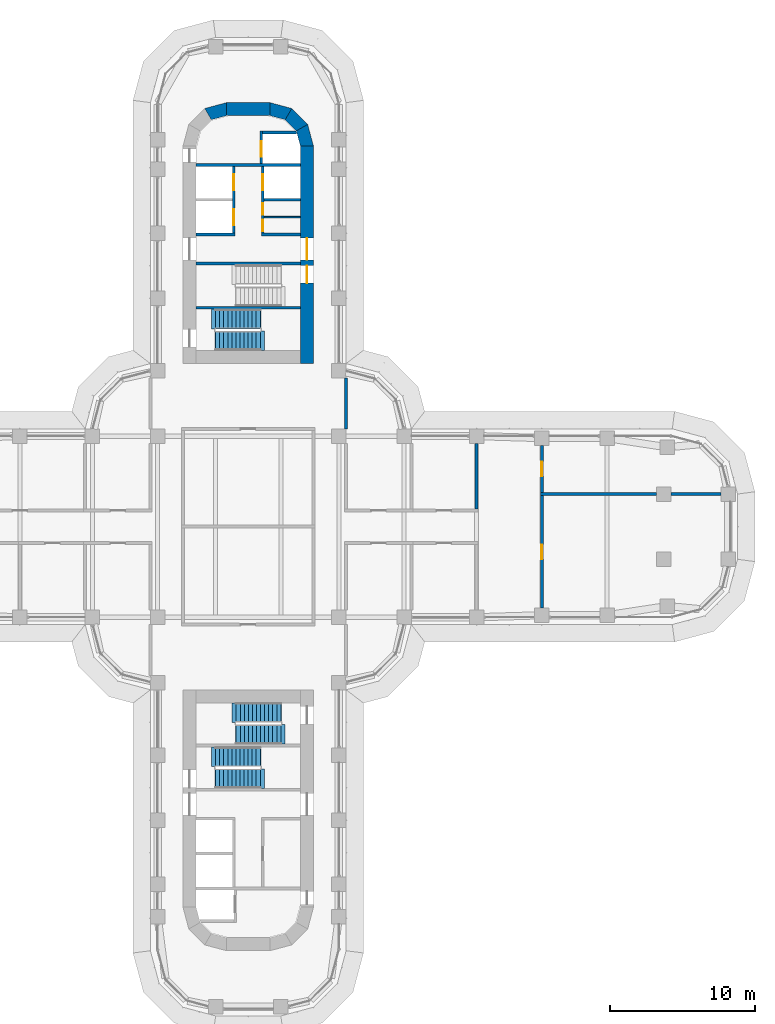
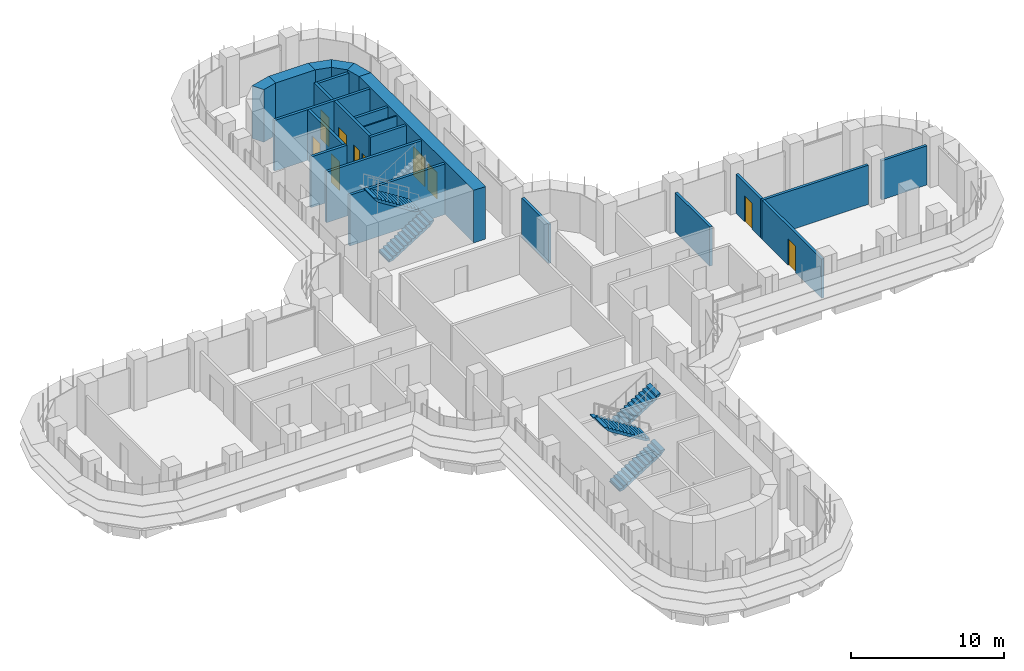
# One storey, part 18 of 23: 23 walls, 10 doors, 6 stair flights, 10 openings, 3 elements without a shape of their own.
"""IFC4 building model written with IfcOpenShell, lengths in metres."""

from ifc_helpers import new_model, si_unit, direction, frame, frame_2d, origin, place, context, subcontext, project, spatial, polyline, rectangle, outline, extrude, material, layer, layer_set, type_object, element, fill, aggregate, save


model = new_model("IFC4")

# Units and contexts
model_context = context("Model", 3, precision=1e-05, world=origin(), true_north=direction((0.0, 1.0)))
body_context = subcontext(model_context, "Body", "Model", "MODEL_VIEW")
ifc_project = project(units=[si_unit("LENGTHUNIT", "METRE"), si_unit("AREAUNIT", "SQUARE_METRE"), si_unit("VOLUMEUNIT", "CUBIC_METRE"), si_unit("PLANEANGLEUNIT", "RADIAN"), si_unit("MASSUNIT", "GRAM", prefix="KILO")], contexts=[model_context])

# Site, building, storey
site_placement = place(None, origin())
site = spatial("IfcSite", under=ifc_project, at=site_placement, CompositionType="ELEMENT")
building_placement = place(site_placement, origin())
building = spatial("IfcBuilding", under=site, at=building_placement, Name="Zarbagh Exchange Tower", CompositionType="ELEMENT")
storey_placement = place(building_placement, frame((0.0, 0.0, 48.0)))
storey = spatial("IfcBuildingStorey", under=building, at=storey_placement, Name="L10", CompositionType="ELEMENT", Elevation=48.0)

# Walls
ifc_material_1 = material(Name="Dense blockwork", Category="masonry")
ifc_layer_1 = layer(ifc_material_1, 0.10009765625)
ifc_layer_set_1 = layer_set([ifc_layer_1], Name="Core partition 100 mm blockwork")
wall_type_1 = type_object("IfcWallType", Name="Core partition 100 mm blockwork", PredefinedType="PARTITIONING", material=ifc_layer_set_1)
wall_1_placement = place(storey_placement, frame((1.10009765625, 21.35009765625, 0.0), z_axis=(0.0, 0.0, 1.0), x_axis=(1.0, 0.0, 0.0)))
element("IfcWall", 1, at=wall_1_placement, inside=storey, type_object=wall_type_1, Name="North core partition wall CUT-E-700", PredefinedType="PARTITIONING", context=body_context, shape_type="SweptSolid", body=[
    extrude(rectangle(XDim=2.5, YDim=0.10009765625, at=frame_2d((1.25, 0.0))), origin(), (0.0, 0.0, 1.0), 4.050048828125),
])
ifc_material_2 = material(Name="Fire-rated plasterboard partition")
ifc_layer_2 = layer(ifc_material_2, 0.199951171875)
ifc_layer_set_2 = layer_set([ifc_layer_2], Name="RATED PARTITION 200")
wall_type_2 = type_object("IfcWallType", Name="RATED PARTITION 200", PredefinedType="PARTITIONING", material=ifc_layer_set_2)
wall_2_placement = place(storey_placement, frame((6.75, 6.75, 0.0), z_axis=(0.0, 0.0, 1.0), x_axis=(0.0, 1.0, 0.0)))
element("IfcWall", 2, at=wall_2_placement, inside=storey, type_object=wall_type_2, Name="Partition W-310", PredefinedType="PARTITIONING", context=body_context, shape_type="SweptSolid", body=[
    extrude(rectangle(XDim=3.5, YDim=0.199951171875, at=frame_2d((1.75, 0.0))), origin(), (0.0, 0.0, 1.0), 3.130615234375),
])
wall_3_placement = place(storey_placement, frame((15.75, 1.22509765625, 0.0), z_axis=(0.0, 0.0, 1.0), x_axis=(0.0, 1.0, 0.0)))
element("IfcWall", 3, at=wall_3_placement, inside=storey, type_object=wall_type_2, Name="Partition W-322", PredefinedType="PARTITIONING", context=body_context, shape_type="SweptSolid", body=[
    extrude(rectangle(XDim=4.52490234375, YDim=0.199951171875, at=frame_2d((2.262451171875, 0.0))), origin(), (0.0, 0.0, 1.0), 3.130615234375),
])

# Wall, opening, door
wall_4_placement = place(storey_placement, frame((20.25, 2.14990234375, 0.0), z_axis=(0.0, 0.0, 1.0), x_axis=(0.0, -1.0, 0.0)))
wall_4 = element("IfcWall", 4, at=wall_4_placement, inside=storey, type_object=wall_type_2, Name="Partition W-324", PredefinedType="PARTITIONING", context=body_context, shape_type="SweptSolid", body=[
    extrude(rectangle(XDim=7.760009765625, YDim=0.199951171875, at=frame_2d((3.8798828125, 0.0))), origin(), (0.0, 0.0, 1.0), 3.130615234375),
])
opening_1_placement = place(wall_4_placement, frame((3.3798828125, 0.0, 0.0)))
opening_1 = element("IfcOpeningElement", 5, at=opening_1_placement, cuts=wall_4, Name="Opening D-307", PredefinedType="OPENING", context=body_context, shape_type="SweptSolid", body=[
    extrude(rectangle(XDim=1.0, YDim=2.10009765625, at=frame_2d((0.5, 1.050048828125))), frame((0.0, 0.10986328125, 0.0), z_axis=(0.0, -1.0, 0.0), x_axis=(1.0, 0.0, 0.0)), (0.0, 0.0, 1.0), 0.219970703125),
])
ifc_material_3 = material(Name="Steel door set", Category="steel")
door_type_1 = type_object("IfcDoorType", Name="FIRE DOOR 1000 X 2100 FD30S", OperationType="NOTDEFINED", PredefinedType="DOOR", material=ifc_material_3)
door_1_placement = place(opening_1_placement, origin())
door_1 = element("IfcDoor", 6, at=door_1_placement, inside=storey, type_object=door_type_1, Name="Door D-307", OperationType="SINGLE_SWING_RIGHT", OverallHeight=2.10009765625, OverallWidth=1.0, PredefinedType="DOOR", context=body_context, shape_type="SweptSolid", body=[
    extrude(rectangle(XDim=1.0, YDim=2.10009765625, at=frame_2d((0.5, 1.050048828125))), frame((0.0, 0.02490234375, 0.0), z_axis=(0.0, -1.0, 0.0), x_axis=(1.0, 0.0, 0.0)), (0.0, 0.0, 1.0), 0.050048828125),
])
fill(opening_1, door_1)

wall_5_placement = place(storey_placement, frame((20.25, 5.610107421875, 0.0), z_axis=(0.0, 0.0, 1.0), x_axis=(0.0, -1.0, 0.0)))
wall_5 = element("IfcWall", 7, at=wall_5_placement, inside=storey, type_object=wall_type_2, Name="Partition W-325", PredefinedType="PARTITIONING", context=body_context, shape_type="SweptSolid", body=[
    extrude(rectangle(XDim=3.260009765625, YDim=0.199951171875, at=frame_2d((1.6298828125, 0.0))), origin(), (0.0, 0.0, 1.0), 3.130615234375),
])
opening_2_placement = place(wall_5_placement, frame((1.1298828125, 0.0, 0.0)))
opening_2 = element("IfcOpeningElement", 8, at=opening_2_placement, cuts=wall_5, Name="Opening D-308", PredefinedType="OPENING", context=body_context, shape_type="SweptSolid", body=[
    extrude(rectangle(XDim=1.0, YDim=2.10009765625, at=frame_2d((0.5, 1.050048828125))), frame((0.0, 0.10986328125, 0.0), z_axis=(0.0, -1.0, 0.0), x_axis=(1.0, 0.0, 0.0)), (0.0, 0.0, 1.0), 0.219970703125),
])
door_2_placement = place(opening_2_placement, origin())
door_2 = element("IfcDoor", 9, at=door_2_placement, inside=storey, type_object=door_type_1, Name="Door D-308", OperationType="SINGLE_SWING_LEFT", OverallHeight=2.10009765625, OverallWidth=1.0, PredefinedType="DOOR", context=body_context, shape_type="SweptSolid", body=[
    extrude(rectangle(XDim=1.0, YDim=2.10009765625, at=frame_2d((0.5, 1.050048828125))), frame((0.0, 0.02490234375, 0.0), z_axis=(0.0, -1.0, 0.0), x_axis=(1.0, 0.0, 0.0)), (0.0, 0.0, 1.0), 0.050048828125),
])
fill(opening_2, door_2)

# Walls
wall_6_placement = place(storey_placement, frame((20.14990234375, 2.25, 0.0), z_axis=(0.0, 0.0, 1.0), x_axis=(1.0, 0.0, 0.0)))
element("IfcWall", 10, at=wall_6_placement, inside=storey, type_object=wall_type_2, Name="Partition W-326", PredefinedType="PARTITIONING", context=body_context, shape_type="SweptSolid", body=[
    extrude(rectangle(XDim=8.02001953125, YDim=0.199951171875, at=frame_2d((4.010009765625, 0.0))), origin(), (0.0, 0.0, 1.0), 3.130615234375),
])
wall_7_placement = place(storey_placement, frame((29.169921875, 2.25, 0.0), z_axis=(0.0, 0.0, 1.0), x_axis=(1.0, 0.0, 0.0)))
element("IfcWall", 11, at=wall_7_placement, inside=storey, type_object=wall_type_2, Name="Partition W-327", PredefinedType="PARTITIONING", context=body_context, shape_type="SweptSolid", body=[
    extrude(rectangle(XDim=3.440185546875, YDim=0.199951171875, at=frame_2d((1.72021484375, 0.0))), origin(), (0.0, 0.0, 1.0), 3.130615234375),
])
ifc_material_4 = material(Name="Concrete C60/75", Category="concrete")
ifc_layer_3 = layer(ifc_material_4, 0.89990234375)
ifc_layer_set_3 = layer_set([ifc_layer_3], Name="RC core corner wall 900 C60/75")
wall_type_3 = type_object("IfcWallType", Name="RC core corner wall 900 C60/75", PredefinedType="SHEAR", material=ifc_layer_set_3)
wall_8_placement = place(storey_placement, origin())
element("IfcWall", 12, at=wall_8_placement, inside=storey, type_object=wall_type_3, Name="CW2 core N corner W", PredefinedType="SHEAR", context=body_context, shape_type="SweptSolid", body=[
    extrude(outline(polyline([(-3.0, 28.84814453125), (-1.5, 29.25), (-1.5, 28.35009765625), (-2.550048828125, 28.068603515625), (-3.0, 28.84814453125)])), origin(), (0.0, 0.0, 1.0), 4.199951171875),
])
wall_9_placement = place(storey_placement, origin())
element("IfcWall", 13, at=wall_9_placement, inside=storey, type_object=wall_type_3, Name="CW2 core N corner E", PredefinedType="SHEAR", context=body_context, shape_type="SweptSolid", body=[
    extrude(outline(polyline([(4.5, 26.25), (4.09814453125, 27.75), (3.318603515625, 27.300048828125), (3.60009765625, 26.25), (4.5, 26.25)])), origin(), (0.0, 0.0, 1.0), 4.199951171875),
])
wall_10_placement = place(storey_placement, origin())
element("IfcWall", 14, at=wall_10_placement, inside=storey, type_object=wall_type_3, Name="CW2 core N corner E", PredefinedType="SHEAR", context=body_context, shape_type="SweptSolid", body=[
    extrude(outline(polyline([(4.09814453125, 27.75), (3.0, 28.84814453125), (2.550048828125, 28.068603515625), (3.318603515625, 27.300048828125), (4.09814453125, 27.75)])), origin(), (0.0, 0.0, 1.0), 4.199951171875),
])
wall_11_placement = place(storey_placement, origin())
element("IfcWall", 15, at=wall_11_placement, inside=storey, type_object=wall_type_3, Name="CW2 core N corner E", PredefinedType="SHEAR", context=body_context, shape_type="SweptSolid", body=[
    extrude(outline(polyline([(3.0, 28.84814453125), (1.5, 29.25), (1.5, 28.35009765625), (2.550048828125, 28.068603515625), (3.0, 28.84814453125)])), origin(), (0.0, 0.0, 1.0), 4.199951171875),
])

# Wall, openings, doors
ifc_layer_4 = layer(ifc_material_4, 0.89990234375)
ifc_layer_set_4 = layer_set([ifc_layer_4], Name="RC core wall 900 C60/75")
wall_type_4 = type_object("IfcWallType", Name="RC core wall 900 C60/75", PredefinedType="SHEAR", material=ifc_layer_set_4)
wall_12_placement = place(storey_placement, frame((4.050048828125, 11.25, 0.0), z_axis=(0.0, 0.0, 1.0), x_axis=(0.0, 1.0, 0.0)))
wall_12 = element("IfcWall", 16, at=wall_12_placement, inside=storey, type_object=wall_type_4, Name="CW1 core N E", PredefinedType="SHEAR", context=body_context, shape_type="SweptSolid", body=[
    extrude(rectangle(XDim=15.0, YDim=0.89990234375, at=frame_2d((7.5, 0.0))), origin(), (0.0, 0.0, 1.0), 4.199951171875),
])
opening_3_placement = place(wall_12_placement, frame((7.14990234375, 0.0, 0.0)))
opening_3 = element("IfcOpeningElement", 17, at=opening_3_placement, cuts=wall_12, Name="Opening CD1-1500", PredefinedType="OPENING", context=body_context, shape_type="SweptSolid", body=[
    extrude(rectangle(XDim=1.5, YDim=2.300048828125, at=frame_2d((0.75, 1.14990234375))), frame((0.0, 0.4599609375, 0.0), z_axis=(0.0, -1.0, 0.0), x_axis=(1.0, 0.0, 0.0)), (0.0, 0.0, 1.0), 0.919921875),
])
opening_4_placement = place(wall_12_placement, frame((5.550048828125, 0.0, 0.0)))
opening_4 = element("IfcOpeningElement", 18, at=opening_4_placement, cuts=wall_12, Name="Opening SD1-1200", PredefinedType="OPENING", context=body_context, shape_type="SweptSolid", body=[
    extrude(rectangle(XDim=1.199951171875, YDim=2.10009765625, at=frame_2d((0.60009765625, 1.050048828125))), frame((0.0, 0.4599609375, 0.0), z_axis=(0.0, -1.0, 0.0), x_axis=(1.0, 0.0, 0.0)), (0.0, 0.0, 1.0), 0.919921875),
])
ifc_material_5 = material(Name="Steel", Category="steel")
door_type_2 = type_object("IfcDoorType", Name="Exit stair door 1200 x 2100", OperationType="NOTDEFINED", PredefinedType="DOOR", material=ifc_material_5)
door_3_placement = place(opening_4_placement, origin())
door_3 = element("IfcDoor", 19, at=door_3_placement, inside=storey, type_object=door_type_2, Name="North core stair door ST1", OperationType="SINGLE_SWING_RIGHT", OverallHeight=2.10009765625, OverallWidth=1.199951171875, PredefinedType="DOOR", context=body_context, shape_type="SweptSolid", body=[
    extrude(rectangle(XDim=1.199951171875, YDim=2.10009765625, at=frame_2d((0.60009765625, 1.050048828125))), frame((0.0, 0.02490234375, 0.0), z_axis=(0.0, -1.0, 0.0), x_axis=(1.0, 0.0, 0.0)), (0.0, 0.0, 1.0), 0.050048828125),
])
fill(opening_4, door_3)
door_type_3 = type_object("IfcDoorType", Name="Lift lobby double door 1500 x 2300", OperationType="NOTDEFINED", PredefinedType="DOOR", material=ifc_material_5)
door_4_placement = place(opening_3_placement, origin())
door_4 = element("IfcDoor", 20, at=door_4_placement, inside=storey, type_object=door_type_3, Name="North core lift lobby door LOBBY-E", OperationType="DOUBLE_DOOR_SINGLE_SWING", OverallHeight=2.300048828125, OverallWidth=1.5, PredefinedType="DOOR", context=body_context, shape_type="SweptSolid", body=[
    extrude(rectangle(XDim=1.5, YDim=2.300048828125, at=frame_2d((0.75, 1.14990234375))), frame((0.0, 0.02490234375, 0.0), z_axis=(0.0, -1.0, 0.0), x_axis=(1.0, 0.0, 0.0)), (0.0, 0.0, 1.0), 0.050048828125),
])
fill(opening_3, door_4)

# Walls
wall_13_placement = place(storey_placement, frame((-1.5, 28.800048828125, 0.0), z_axis=(0.0, 0.0, 1.0), x_axis=(1.0, 0.0, 0.0)))
element("IfcWall", 21, at=wall_13_placement, inside=storey, type_object=wall_type_4, Name="CW1 core N outer end", PredefinedType="SHEAR", context=body_context, shape_type="SweptSolid", body=[
    extrude(rectangle(XDim=3.0, YDim=0.89990234375, at=frame_2d((1.5, 0.0))), origin(), (0.0, 0.0, 1.0), 4.199951171875),
])
ifc_layer_5 = layer(ifc_material_1, 0.199951171875)
ifc_layer_set_5 = layer_set([ifc_layer_5], Name="Shaft wall 200 mm blockwork")
wall_type_5 = type_object("IfcWallType", Name="Shaft wall 200 mm blockwork", PredefinedType="PARTITIONING", material=ifc_layer_set_5)
wall_14_placement = place(storey_placement, frame((-3.60009765625, 20.14990234375, 0.0), z_axis=(0.0, 0.0, 1.0), x_axis=(1.0, 0.0, 0.0)))
element("IfcWall", 22, at=wall_14_placement, inside=storey, type_object=wall_type_5, Name="North core shaft wall AB-W", PredefinedType="PARTITIONING", context=body_context, shape_type="SweptSolid", body=[
    extrude(rectangle(XDim=2.7001953125, YDim=0.199951171875, at=frame_2d((1.35009765625, 0.0))), origin(), (0.0, 0.0, 1.0), 4.050048828125),
])

# Wall, openings, doors
wall_15_placement = place(storey_placement, frame((-1.0, 24.85009765625, 0.0), z_axis=(0.0, 0.0, 1.0), x_axis=(0.0, -1.0, 0.0)))
wall_15 = element("IfcWall", 23, at=wall_15_placement, inside=storey, type_object=wall_type_5, Name="North core shaft wall LW-W", PredefinedType="PARTITIONING", context=body_context, shape_type="SweptSolid", body=[
    extrude(rectangle(XDim=4.60009765625, YDim=0.199951171875, at=frame_2d((2.300048828125, 0.0))), origin(), (0.0, 0.0, 1.0), 4.050048828125),
])
opening_5_placement = place(wall_15_placement, frame((0.550048828125, 0.0, 0.0)))
opening_5 = element("IfcOpeningElement", 24, at=opening_5_placement, cuts=wall_15, Name="Opening LD-1100", PredefinedType="OPENING", context=body_context, shape_type="SweptSolid", body=[
    extrude(rectangle(XDim=1.10009765625, YDim=2.300048828125, at=frame_2d((0.550048828125, 1.14990234375))), frame((0.0, 0.10986328125, 0.0), z_axis=(0.0, -1.0, 0.0), x_axis=(1.0, 0.0, 0.0)), (0.0, 0.0, 1.0), 0.219970703125),
])
opening_6_placement = place(wall_15_placement, frame((2.949951171875, 0.0, 0.0)))
opening_6 = element("IfcOpeningElement", 25, at=opening_6_placement, cuts=wall_15, Name="Opening LD-1100", PredefinedType="OPENING", context=body_context, shape_type="SweptSolid", body=[
    extrude(rectangle(XDim=1.10009765625, YDim=2.300048828125, at=frame_2d((0.550048828125, 1.14990234375))), frame((0.0, 0.10986328125, 0.0), z_axis=(0.0, -1.0, 0.0), x_axis=(1.0, 0.0, 0.0)), (0.0, 0.0, 1.0), 0.219970703125),
])
ifc_material_6 = material(Name="Stainless steel", Category="steel")
door_type_4 = type_object("IfcDoorType", Name="Lift landing door 1100 x 2300", OperationType="NOTDEFINED", PredefinedType="DOOR", material=ifc_material_6)
door_5_placement = place(opening_5_placement, origin())
door_5 = element("IfcDoor", 26, at=door_5_placement, inside=storey, type_object=door_type_4, Name="North core lift landing door LD-P-N1", OperationType="DOUBLE_DOOR_SLIDING", OverallHeight=2.300048828125, OverallWidth=1.10009765625, PredefinedType="DOOR", context=body_context, shape_type="SweptSolid", body=[
    extrude(rectangle(XDim=1.10009765625, YDim=2.300048828125, at=frame_2d((0.550048828125, 1.14990234375))), frame((0.0, 0.02490234375, 0.0), z_axis=(0.0, -1.0, 0.0), x_axis=(1.0, 0.0, 0.0)), (0.0, 0.0, 1.0), 0.050048828125),
])
fill(opening_5, door_5)
door_6_placement = place(opening_6_placement, origin())
door_6 = element("IfcDoor", 27, at=door_6_placement, inside=storey, type_object=door_type_4, Name="North core lift landing door LD-P-N2", OperationType="DOUBLE_DOOR_SLIDING", OverallHeight=2.300048828125, OverallWidth=1.10009765625, PredefinedType="DOOR", context=body_context, shape_type="SweptSolid", body=[
    extrude(rectangle(XDim=1.10009765625, YDim=2.300048828125, at=frame_2d((0.550048828125, 1.14990234375))), frame((0.0, 0.02490234375, 0.0), z_axis=(0.0, -1.0, 0.0), x_axis=(1.0, 0.0, 0.0)), (0.0, 0.0, 1.0), 0.050048828125),
])
fill(opening_6, door_6)

# Wall
wall_16_placement = place(storey_placement, frame((0.89990234375, 20.14990234375, 0.0), z_axis=(0.0, 0.0, 1.0), x_axis=(1.0, 0.0, 0.0)))
element("IfcWall", 28, at=wall_16_placement, inside=storey, type_object=wall_type_5, Name="North core shaft wall AB-E", PredefinedType="PARTITIONING", context=body_context, shape_type="SweptSolid", body=[
    extrude(rectangle(XDim=2.7001953125, YDim=0.199951171875, at=frame_2d((1.35009765625, 0.0))), origin(), (0.0, 0.0, 1.0), 4.050048828125),
])

# Wall, openings, doors
wall_17_placement = place(storey_placement, frame((1.0, 24.85009765625, 0.0), z_axis=(0.0, 0.0, 1.0), x_axis=(0.0, -1.0, 0.0)))
wall_17 = element("IfcWall", 29, at=wall_17_placement, inside=storey, type_object=wall_type_5, Name="North core shaft wall LW-E", PredefinedType="PARTITIONING", context=body_context, shape_type="SweptSolid", body=[
    extrude(rectangle(XDim=4.60009765625, YDim=0.199951171875, at=frame_2d((2.300048828125, 0.0))), origin(), (0.0, 0.0, 1.0), 4.050048828125),
])
opening_7_placement = place(wall_17_placement, frame((0.550048828125, 0.0, 0.0)))
opening_7 = element("IfcOpeningElement", 30, at=opening_7_placement, cuts=wall_17, Name="Opening LD-1100", PredefinedType="OPENING", context=body_context, shape_type="SweptSolid", body=[
    extrude(rectangle(XDim=1.10009765625, YDim=2.300048828125, at=frame_2d((0.550048828125, 1.14990234375))), frame((0.0, 0.10986328125, 0.0), z_axis=(0.0, -1.0, 0.0), x_axis=(1.0, 0.0, 0.0)), (0.0, 0.0, 1.0), 0.219970703125),
])
opening_8_placement = place(wall_17_placement, frame((2.52490234375, 0.0, 0.0)))
opening_8 = element("IfcOpeningElement", 31, at=opening_8_placement, cuts=wall_17, Name="Opening CD3-800", PredefinedType="OPENING", context=body_context, shape_type="SweptSolid", body=[
    extrude(rectangle(XDim=0.800048828125, YDim=2.10009765625, at=frame_2d((0.39990234375, 1.050048828125))), frame((0.0, 0.10986328125, 0.0), z_axis=(0.0, -1.0, 0.0), x_axis=(1.0, 0.0, 0.0)), (0.0, 0.0, 1.0), 0.219970703125),
])
opening_9_placement = place(wall_17_placement, frame((3.675048828125, 0.0, 0.0)))
opening_9 = element("IfcOpeningElement", 32, at=opening_9_placement, cuts=wall_17, Name="Opening CD3-800", PredefinedType="OPENING", context=body_context, shape_type="SweptSolid", body=[
    extrude(rectangle(XDim=0.800048828125, YDim=2.10009765625, at=frame_2d((0.39990234375, 1.050048828125))), frame((0.0, 0.10986328125, 0.0), z_axis=(0.0, -1.0, 0.0), x_axis=(1.0, 0.0, 0.0)), (0.0, 0.0, 1.0), 0.219970703125),
])
door_type_5 = type_object("IfcDoorType", Name="Core room door 800 x 2100", OperationType="NOTDEFINED", PredefinedType="DOOR", material=ifc_material_5)
door_7_placement = place(opening_8_placement, origin())
door_7 = element("IfcDoor", 33, at=door_7_placement, inside=storey, type_object=door_type_5, Name="North core Store door RD-E-0", OperationType="SINGLE_SWING_LEFT", OverallHeight=2.10009765625, OverallWidth=0.800048828125, PredefinedType="DOOR", context=body_context, shape_type="SweptSolid", body=[
    extrude(rectangle(XDim=0.800048828125, YDim=2.10009765625, at=frame_2d((0.39990234375, 1.050048828125))), frame((0.0, 0.02490234375, 0.0), z_axis=(0.0, -1.0, 0.0), x_axis=(1.0, 0.0, 0.0)), (0.0, 0.0, 1.0), 0.050048828125),
])
fill(opening_8, door_7)
door_8_placement = place(opening_9_placement, origin())
door_8 = element("IfcDoor", 34, at=door_8_placement, inside=storey, type_object=door_type_5, Name="North core IT room door RD-E-1", OperationType="SINGLE_SWING_RIGHT", OverallHeight=2.10009765625, OverallWidth=0.800048828125, PredefinedType="DOOR", context=body_context, shape_type="SweptSolid", body=[
    extrude(rectangle(XDim=0.800048828125, YDim=2.10009765625, at=frame_2d((0.39990234375, 1.050048828125))), frame((0.0, 0.02490234375, 0.0), z_axis=(0.0, -1.0, 0.0), x_axis=(1.0, 0.0, 0.0)), (0.0, 0.0, 1.0), 0.050048828125),
])
fill(opening_9, door_8)
door_9_placement = place(opening_7_placement, origin())
door_9 = element("IfcDoor", 35, at=door_9_placement, inside=storey, type_object=door_type_4, Name="North core lift landing door LD-P-N3", OperationType="DOUBLE_DOOR_SLIDING", OverallHeight=2.300048828125, OverallWidth=1.10009765625, PredefinedType="DOOR", context=body_context, shape_type="SweptSolid", body=[
    extrude(rectangle(XDim=1.10009765625, YDim=2.300048828125, at=frame_2d((0.550048828125, 1.14990234375))), frame((0.0, 0.02490234375, 0.0), z_axis=(0.0, -1.0, 0.0), x_axis=(1.0, 0.0, 0.0)), (0.0, 0.0, 1.0), 0.050048828125),
])
fill(opening_7, door_9)

# Walls
wall_18_placement = place(storey_placement, frame((1.10009765625, 22.550048828125, 0.0), z_axis=(0.0, 0.0, 1.0), x_axis=(1.0, 0.0, 0.0)))
element("IfcWall", 36, at=wall_18_placement, inside=storey, type_object=wall_type_5, Name="North core shaft wall TR-E", PredefinedType="PARTITIONING", context=body_context, shape_type="SweptSolid", body=[
    extrude(rectangle(XDim=2.5, YDim=0.199951171875, at=frame_2d((1.25, 0.0))), origin(), (0.0, 0.0, 1.0), 4.050048828125),
])
ifc_material_7 = material(Name="Concrete C40/50", Category="concrete")
ifc_layer_6 = layer(ifc_material_7, 0.199951171875)
ifc_layer_set_6 = layer_set([ifc_layer_6], Name="Stair enclosure wall 200 mm RC C40/50")
wall_type_6 = type_object("IfcWallType", Name="Stair enclosure wall 200 mm RC C40/50", PredefinedType="SHEAR", material=ifc_layer_set_6)
wall_19_placement = place(storey_placement, frame((-3.60009765625, 24.949951171875, 0.0), z_axis=(0.0, 0.0, 1.0), x_axis=(1.0, 0.0, 0.0)))
element("IfcWall", 37, at=wall_19_placement, inside=storey, type_object=wall_type_6, Name="North core lift shaft wall FFA", PredefinedType="SHEAR", context=body_context, shape_type="SweptSolid", body=[
    extrude(rectangle(XDim=7.2001953125, YDim=0.199951171875, at=frame_2d((3.60009765625, 0.0))), origin(), (0.0, 0.0, 1.0), 4.050048828125),
])

# Wall, opening, door
wall_20_placement = place(storey_placement, frame((0.89990234375, 27.300048828125, 0.0), z_axis=(0.0, 0.0, 1.0), x_axis=(0.0, -1.0, 0.0)))
wall_20 = element("IfcWall", 38, at=wall_20_placement, inside=storey, type_object=wall_type_6, Name="North core lift shaft wall FFL", PredefinedType="SHEAR", context=body_context, shape_type="SweptSolid", body=[
    extrude(rectangle(XDim=2.25, YDim=0.199951171875, at=frame_2d((1.125, 0.0))), origin(), (0.0, 0.0, 1.0), 4.050048828125),
])
opening_10_placement = place(wall_20_placement, frame((0.699951171875, 0.0, 0.0)))
opening_10 = element("IfcOpeningElement", 39, at=opening_10_placement, cuts=wall_20, Name="Opening LD-1100", PredefinedType="OPENING", context=body_context, shape_type="SweptSolid", body=[
    extrude(rectangle(XDim=1.10009765625, YDim=2.300048828125, at=frame_2d((0.550048828125, 1.14990234375))), frame((0.0, 0.10986328125, 0.0), z_axis=(0.0, -1.0, 0.0), x_axis=(1.0, 0.0, 0.0)), (0.0, 0.0, 1.0), 0.219970703125),
])
door_10_placement = place(opening_10_placement, origin())
door_10 = element("IfcDoor", 40, at=door_10_placement, inside=storey, type_object=door_type_4, Name="North core lift landing door LD-F", OperationType="DOUBLE_DOOR_SLIDING", OverallHeight=2.300048828125, OverallWidth=1.10009765625, PredefinedType="DOOR", context=body_context, shape_type="SweptSolid", body=[
    extrude(rectangle(XDim=1.10009765625, YDim=2.300048828125, at=frame_2d((0.550048828125, 1.14990234375))), frame((0.0, 0.02490234375, 0.0), z_axis=(0.0, -1.0, 0.0), x_axis=(1.0, 0.0, 0.0)), (0.0, 0.0, 1.0), 0.050048828125),
])
fill(opening_10, door_10)

# Walls
wall_21_placement = place(storey_placement, origin())
element("IfcWall", 41, at=wall_21_placement, inside=storey, type_object=wall_type_6, Name="North core lift shaft wall FFX", PredefinedType="SHEAR", context=body_context, shape_type="SweptSolid", body=[
    extrude(outline(polyline([(1.0, 27.10009765625), (3.340576171875, 27.10009765625), (3.291259765625, 27.2841796875), (3.275390625, 27.300048828125), (1.0, 27.300048828125), (1.0, 27.10009765625)])), origin(), (0.0, 0.0, 1.0), 4.050048828125),
])
for number, where, z_axis, x_axis, name in (
    (42, (-3.60009765625, 18.14990234375, 0.0), (0.0, 0.0, 1.0), (1.0, 0.0, 0.0), "North core stair wall BS"),
    (43, (-3.60009765625, 15.10009765625, 0.0), (0.0, 0.0, 1.0), (1.0, 0.0, 0.0), "North core stair wall ST12"),
):
    element("IfcWall", number, at=place(storey_placement, frame(where, z_axis=z_axis, x_axis=x_axis)), inside=storey, type_object=wall_type_6, Name=name, PredefinedType="SHEAR", context=body_context, shape_type="SweptSolid", body=[
        extrude(rectangle(XDim=7.2001953125, YDim=0.199951171875, at=frame_2d((3.60009765625, 0.0))), origin(), (0.0, 0.0, 1.0), 4.050048828125),
    ])

# Stair, stair flights
stair_type = type_object("IfcStairType", Name="Exit stair two-flight half-turn", PredefinedType="HALF_TURN_STAIR", material=ifc_material_7)
stair_1_placement = place(storey_placement, origin())
stair_1 = element("IfcStair", 44, at=stair_1_placement, inside=storey, type_object=stair_type, Name="exit stair ST2", PredefinedType="HALF_TURN_STAIR")
stair_flight_type = type_object("IfcStairFlightType", Name="Stair flight 1350 mm", PredefinedType="STRAIGHT", material=ifc_material_7)
stair_flight_1_placement = place(storey_placement, frame((-2.25, 12.824951171875, 0.0), z_axis=(0.0, 0.0, 1.0), x_axis=(1.0, 0.0, 0.0)))
stair_flight_1 = element("IfcStairFlight", 45, at=stair_flight_1_placement, type_object=stair_flight_type, Name="ST2 flight 1", NumberOfRisers=12, NumberOfTreads=11, PredefinedType="STRAIGHT", RiserHeight=0.175, TreadLength=0.28, context=body_context, shape_type="SweptSolid", body=[
    extrude(outline(polyline([(-0.050048828125, -0.050048828125), (-0.050048828125, 0.0), (0.0, 0.0), (0.0, 0.175048828125), (0.280029296875, 0.175048828125), (0.280029296875, 0.35009765625), (0.56005859375, 0.35009765625), (0.56005859375, 0.52490234375), (0.840087890625, 0.52490234375), (0.840087890625, 0.699951171875), (1.1201171875, 0.699951171875), (1.1201171875, 0.875), (1.39990234375, 0.875), (1.39990234375, 1.050048828125), (1.679931640625, 1.050048828125), (1.679931640625, 1.22509765625), (1.9599609375, 1.22509765625), (1.9599609375, 1.39990234375), (2.239990234375, 1.39990234375), (2.239990234375, 1.574951171875), (2.52001953125, 1.574951171875), (2.52001953125, 1.75), (2.800048828125, 1.75), (2.800048828125, 1.925048828125), (3.080078125, 1.925048828125), (3.080078125, 2.10009765625), (3.3798828125, 2.179931640625), (3.3798828125, 2.10009765625), (3.080078125, 1.748291015625), (0.28271484375, 0.0), (-0.050048828125, -0.050048828125)])), frame((0.0, 0.675048828125, 0.0), z_axis=(0.0, -1.0, 0.0), x_axis=(1.0, 0.0, 0.0)), (0.0, 0.0, 1.0), 1.35009765625),
])
stair_flight_2_placement = place(storey_placement, frame((0.830078125, 14.324951171875, 2.10009765625), z_axis=(0.0, 0.0, 1.0), x_axis=(-1.0, 0.0, 0.0)))
stair_flight_2 = element("IfcStairFlight", 46, at=stair_flight_2_placement, type_object=stair_flight_type, Name="ST2 flight 2", NumberOfRisers=12, NumberOfTreads=11, PredefinedType="STRAIGHT", RiserHeight=0.175, TreadLength=0.28, context=body_context, shape_type="SweptSolid", body=[
    extrude(outline(polyline([(-0.050048828125, -0.050048828125), (-0.050048828125, 0.0), (0.0, 0.0), (0.0, 0.175048828125), (0.280029296875, 0.175048828125), (0.280029296875, 0.35009765625), (0.56005859375, 0.35009765625), (0.56005859375, 0.52490234375), (0.840087890625, 0.52490234375), (0.840087890625, 0.699951171875), (1.1201171875, 0.699951171875), (1.1201171875, 0.875), (1.39990234375, 0.875), (1.39990234375, 1.050048828125), (1.679931640625, 1.050048828125), (1.679931640625, 1.22509765625), (1.9599609375, 1.22509765625), (1.9599609375, 1.39990234375), (2.239990234375, 1.39990234375), (2.239990234375, 1.574951171875), (2.52001953125, 1.574951171875), (2.52001953125, 1.75), (2.800048828125, 1.75), (2.800048828125, 1.925048828125), (3.080078125, 1.925048828125), (3.080078125, 2.10009765625), (3.3798828125, 2.179931640625), (3.3798828125, 2.10009765625), (3.080078125, 1.748291015625), (0.28271484375, 0.0), (-0.050048828125, -0.050048828125)])), frame((0.0, 0.675048828125, 0.0), z_axis=(0.0, -1.0, 0.0), x_axis=(1.0, 0.0, 0.0)), (0.0, 0.0, 1.0), 1.35009765625),
])
aggregate(stair_1, [stair_flight_1, stair_flight_2])

stair_2_placement = place(storey_placement, origin())
stair_2 = element("IfcStair", 47, at=stair_2_placement, inside=storey, type_object=stair_type, Name="exit stair ST3", PredefinedType="HALF_TURN_STAIR")
stair_flight_3_placement = place(storey_placement, frame((-2.25, -17.375, 0.0), z_axis=(0.0, 0.0, 1.0), x_axis=(1.0, 0.0, 0.0)))
stair_flight_3 = element("IfcStairFlight", 48, at=stair_flight_3_placement, type_object=stair_flight_type, Name="ST3 flight 1", NumberOfRisers=12, NumberOfTreads=11, PredefinedType="STRAIGHT", RiserHeight=0.175, TreadLength=0.28, context=body_context, shape_type="SweptSolid", body=[
    extrude(outline(polyline([(-0.050048828125, -0.050048828125), (-0.050048828125, 0.0), (0.0, 0.0), (0.0, 0.175048828125), (0.280029296875, 0.175048828125), (0.280029296875, 0.35009765625), (0.56005859375, 0.35009765625), (0.56005859375, 0.52490234375), (0.840087890625, 0.52490234375), (0.840087890625, 0.699951171875), (1.1201171875, 0.699951171875), (1.1201171875, 0.875), (1.39990234375, 0.875), (1.39990234375, 1.050048828125), (1.679931640625, 1.050048828125), (1.679931640625, 1.22509765625), (1.9599609375, 1.22509765625), (1.9599609375, 1.39990234375), (2.239990234375, 1.39990234375), (2.239990234375, 1.574951171875), (2.52001953125, 1.574951171875), (2.52001953125, 1.75), (2.800048828125, 1.75), (2.800048828125, 1.925048828125), (3.080078125, 1.925048828125), (3.080078125, 2.10009765625), (3.3798828125, 2.179931640625), (3.3798828125, 2.10009765625), (3.080078125, 1.748291015625), (0.28271484375, 0.0), (-0.050048828125, -0.050048828125)])), frame((0.0, 0.675048828125, 0.0), z_axis=(0.0, -1.0, 0.0), x_axis=(1.0, 0.0, 0.0)), (0.0, 0.0, 1.0), 1.35009765625),
])
stair_flight_4_placement = place(storey_placement, frame((0.830078125, -15.875, 2.10009765625), z_axis=(0.0, 0.0, 1.0), x_axis=(-1.0, 0.0, 0.0)))
stair_flight_4 = element("IfcStairFlight", 49, at=stair_flight_4_placement, type_object=stair_flight_type, Name="ST3 flight 2", NumberOfRisers=12, NumberOfTreads=11, PredefinedType="STRAIGHT", RiserHeight=0.175, TreadLength=0.28, context=body_context, shape_type="SweptSolid", body=[
    extrude(outline(polyline([(-0.050048828125, -0.050048828125), (-0.050048828125, 0.0), (0.0, 0.0), (0.0, 0.175048828125), (0.280029296875, 0.175048828125), (0.280029296875, 0.35009765625), (0.56005859375, 0.35009765625), (0.56005859375, 0.52490234375), (0.840087890625, 0.52490234375), (0.840087890625, 0.699951171875), (1.1201171875, 0.699951171875), (1.1201171875, 0.875), (1.39990234375, 0.875), (1.39990234375, 1.050048828125), (1.679931640625, 1.050048828125), (1.679931640625, 1.22509765625), (1.9599609375, 1.22509765625), (1.9599609375, 1.39990234375), (2.239990234375, 1.39990234375), (2.239990234375, 1.574951171875), (2.52001953125, 1.574951171875), (2.52001953125, 1.75), (2.800048828125, 1.75), (2.800048828125, 1.925048828125), (3.080078125, 1.925048828125), (3.080078125, 2.10009765625), (3.3798828125, 2.179931640625), (3.3798828125, 2.10009765625), (3.080078125, 1.748291015625), (0.28271484375, 0.0), (-0.050048828125, -0.050048828125)])), frame((0.0, 0.675048828125, 0.0), z_axis=(0.0, -1.0, 0.0), x_axis=(1.0, 0.0, 0.0)), (0.0, 0.0, 1.0), 1.35009765625),
])
aggregate(stair_2, [stair_flight_3, stair_flight_4])

stair_3_placement = place(storey_placement, origin())
stair_3 = element("IfcStair", 50, at=stair_3_placement, inside=storey, type_object=stair_type, Name="exit stair ST4", PredefinedType="HALF_TURN_STAIR")
stair_flight_5_placement = place(storey_placement, frame((2.25, -12.824951171875, 0.0), z_axis=(0.0, 0.0, 1.0), x_axis=(-1.0, 0.0, 0.0)))
stair_flight_5 = element("IfcStairFlight", 51, at=stair_flight_5_placement, type_object=stair_flight_type, Name="ST4 flight 1", NumberOfRisers=12, NumberOfTreads=11, PredefinedType="STRAIGHT", RiserHeight=0.175, TreadLength=0.28, context=body_context, shape_type="SweptSolid", body=[
    extrude(outline(polyline([(-0.050048828125, -0.050048828125), (-0.050048828125, 0.0), (0.0, 0.0), (0.0, 0.175048828125), (0.280029296875, 0.175048828125), (0.280029296875, 0.35009765625), (0.56005859375, 0.35009765625), (0.56005859375, 0.52490234375), (0.840087890625, 0.52490234375), (0.840087890625, 0.699951171875), (1.1201171875, 0.699951171875), (1.1201171875, 0.875), (1.39990234375, 0.875), (1.39990234375, 1.050048828125), (1.679931640625, 1.050048828125), (1.679931640625, 1.22509765625), (1.9599609375, 1.22509765625), (1.9599609375, 1.39990234375), (2.239990234375, 1.39990234375), (2.239990234375, 1.574951171875), (2.52001953125, 1.574951171875), (2.52001953125, 1.75), (2.800048828125, 1.75), (2.800048828125, 1.925048828125), (3.080078125, 1.925048828125), (3.080078125, 2.10009765625), (3.3798828125, 2.179931640625), (3.3798828125, 2.10009765625), (3.080078125, 1.748291015625), (0.28271484375, 0.0), (-0.050048828125, -0.050048828125)])), frame((0.0, 0.675048828125, 0.0), z_axis=(0.0, -1.0, 0.0), x_axis=(1.0, 0.0, 0.0)), (0.0, 0.0, 1.0), 1.35009765625),
])
stair_flight_6_placement = place(storey_placement, frame((-0.830078125, -14.324951171875, 2.10009765625), z_axis=(0.0, 0.0, 1.0), x_axis=(1.0, 0.0, 0.0)))
stair_flight_6 = element("IfcStairFlight", 52, at=stair_flight_6_placement, type_object=stair_flight_type, Name="ST4 flight 2", NumberOfRisers=12, NumberOfTreads=11, PredefinedType="STRAIGHT", RiserHeight=0.175, TreadLength=0.28, context=body_context, shape_type="SweptSolid", body=[
    extrude(outline(polyline([(-0.050048828125, -0.050048828125), (-0.050048828125, 0.0), (0.0, 0.0), (0.0, 0.175048828125), (0.280029296875, 0.175048828125), (0.280029296875, 0.35009765625), (0.56005859375, 0.35009765625), (0.56005859375, 0.52490234375), (0.840087890625, 0.52490234375), (0.840087890625, 0.699951171875), (1.1201171875, 0.699951171875), (1.1201171875, 0.875), (1.39990234375, 0.875), (1.39990234375, 1.050048828125), (1.679931640625, 1.050048828125), (1.679931640625, 1.22509765625), (1.9599609375, 1.22509765625), (1.9599609375, 1.39990234375), (2.239990234375, 1.39990234375), (2.239990234375, 1.574951171875), (2.52001953125, 1.574951171875), (2.52001953125, 1.75), (2.800048828125, 1.75), (2.800048828125, 1.925048828125), (3.080078125, 1.925048828125), (3.080078125, 2.10009765625), (3.3798828125, 2.179931640625), (3.3798828125, 2.10009765625), (3.080078125, 1.748291015625), (0.28271484375, 0.0), (-0.050048828125, -0.050048828125)])), frame((0.0, 0.675048828125, 0.0), z_axis=(0.0, -1.0, 0.0), x_axis=(1.0, 0.0, 0.0)), (0.0, 0.0, 1.0), 1.35009765625),
])
aggregate(stair_3, [stair_flight_5, stair_flight_6])

save(model, "model.ifc")
